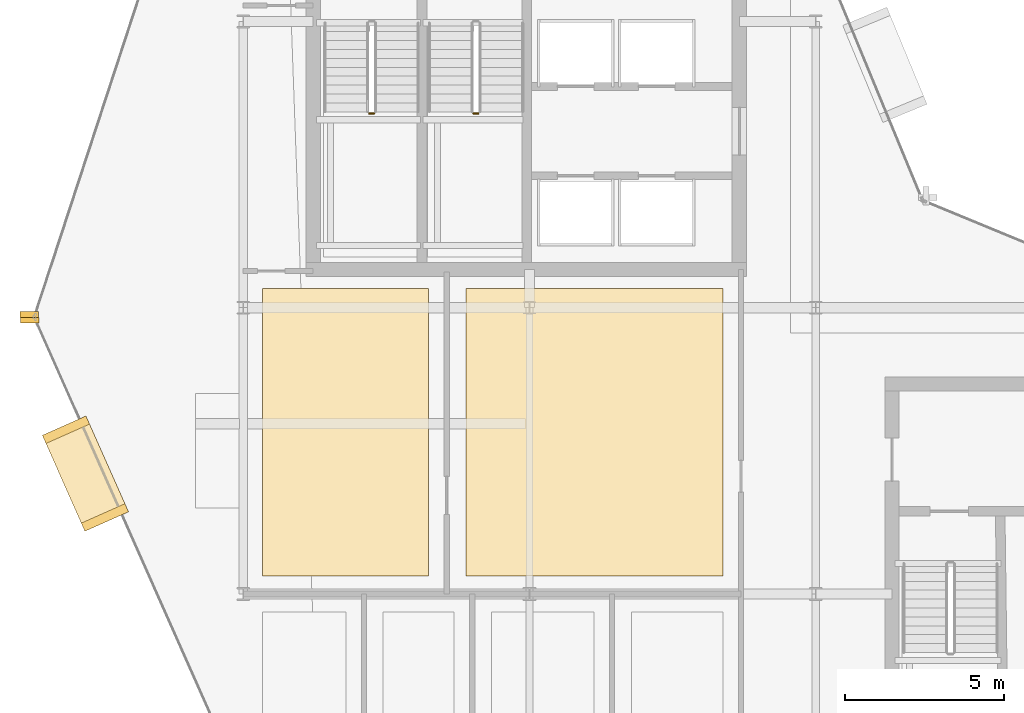
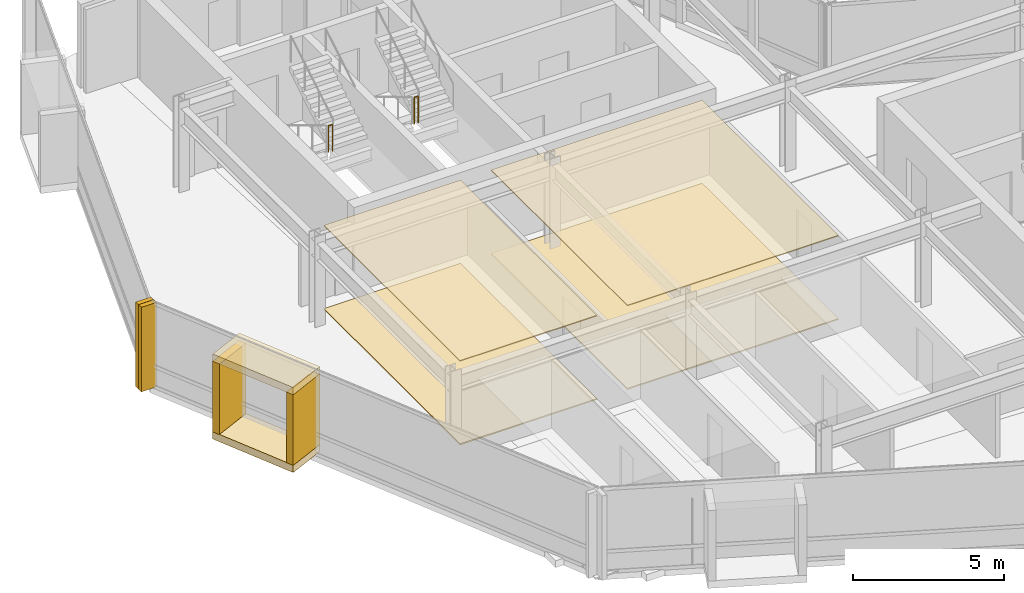
# One storey, part 23 of 27: 10 coverings, 2 railings.
"""IFC4 building model written with IfcOpenShell, lengths in metres."""

import ifcopenshell
import ifcopenshell.guid

model = None  # the IFC model being written
_history = None  # IfcOwnerHistory: only IFC2X3 demands one
_inside = {}  # id of a spatial element -> (the spatial element, [elements in it])
_under = {}  # id of a project, library or spatial element -> (it, [spatial elements below it])
_declared = {}  # id of a project -> (the project, [libraries it declares])
_typed = {}  # id of a type object -> (the type object, [elements of that type])
_made_of = {}  # id of a material, layer set ... -> (it, [elements and type objects made of it])


def new_model(schema):
    """Start an empty IFC model of exactly this schema.

    Asked for "IFC4X3", IfcOpenShell would pick the latest addendum, in which some entities
    have other attributes; the version numbers below select the first issue.
    IFC2X3 requires an IfcOwnerHistory on every rooted entity: one is made here for all.
    """
    global model, _history
    if schema == "IFC4X3":
        model = ifcopenshell.file(schema_version=(4, 3, 0, 0))
    else:
        model = ifcopenshell.file(schema=schema)
    _inside.clear()
    _under.clear()
    _declared.clear()
    _typed.clear()
    _made_of.clear()
    _history = None
    if model.schema == "IFC2X3":
        org = make("IfcOrganization", Name="unknown")
        user = make(
            "IfcPersonAndOrganization",
            ThePerson=make("IfcPerson", FamilyName="unknown"),
            TheOrganization=org,
        )
        app = make(
            "IfcApplication",
            ApplicationDeveloper=org,
            Version="unknown",
            ApplicationFullName="unknown",
            ApplicationIdentifier="unknown",
        )
        _history = make(
            "IfcOwnerHistory",
            OwningUser=user,
            OwningApplication=app,
            ChangeAction="ADDED",
            CreationDate=0,
        )
    return model


def make(cls, **values):
    """One entity of the class cls with the attributes given. An attribute that is None is left unset."""
    return model.create_entity(
        cls, **{name: value for name, value in values.items() if value is not None}
    )


def rooted(cls, **values):
    """An entity with a GlobalId (a new one), such as an element, a storey or a relation."""
    return make(cls, GlobalId=ifcopenshell.guid.new(), OwnerHistory=_history, **values)


def si_unit(unit_type, name, prefix=None):
    """IfcSIUnit, for example si_unit("LENGTHUNIT", "METRE", prefix="MILLI")."""
    return make("IfcSIUnit", UnitType=unit_type, Prefix=prefix, Name=name)


def assignment(units):
    """IfcUnitAssignment: the units of a project."""
    return None if units is None else make("IfcUnitAssignment", Units=units)


def point(xyz):
    """IfcCartesianPoint."""
    return None if xyz is None else make("IfcCartesianPoint", Coordinates=xyz)


def direction(xyz):
    """IfcDirection."""
    return None if xyz is None else make("IfcDirection", DirectionRatios=xyz)


def frame(location, z_axis=None, x_axis=None):
    """IfcAxis2Placement3D, a coordinate frame: its origin and axes. An axis left out is left unset."""
    return make(
        "IfcAxis2Placement3D",
        Location=point(location),
        Axis=direction(z_axis),
        RefDirection=direction(x_axis),
    )


def frame_2d(location, x_axis=None):
    """IfcAxis2Placement2D, a coordinate frame in the plane: its origin and x axis."""
    return make(
        "IfcAxis2Placement2D", Location=point(location), RefDirection=direction(x_axis)
    )


def origin():
    """The frame at (0, 0, 0) with its axes left unset."""
    return frame((0.0, 0.0, 0.0))


def origin_2d():
    """The frame at (0, 0) in the plane with its x axis left unset."""
    return frame_2d((0.0, 0.0))


def place(relative_to, where):
    """IfcLocalPlacement: puts the frame where relative to a parent placement (None: the world)."""
    return make(
        "IfcLocalPlacement", PlacementRelTo=relative_to, RelativePlacement=where
    )


def context(
    kind, dimensions, precision=None, world=None, true_north=None, identifier=None
):
    """IfcGeometricRepresentationContext, for example the 3D "Model" context."""
    return make(
        "IfcGeometricRepresentationContext",
        ContextIdentifier=identifier,
        ContextType=kind,
        CoordinateSpaceDimension=dimensions,
        Precision=precision,
        WorldCoordinateSystem=world,
        TrueNorth=true_north,
    )


def subcontext(parent, identifier, kind, view, scale=None):
    """IfcGeometricRepresentationSubContext, for example "Body" below "Model"."""
    return make(
        "IfcGeometricRepresentationSubContext",
        ContextIdentifier=identifier,
        ContextType=kind,
        ParentContext=parent,
        TargetScale=scale,
        TargetView=view,
    )


def project(units=None, contexts=None):
    """IfcProject with its units and contexts."""
    return rooted(
        "IfcProject",
        Name="project",
        RepresentationContexts=contexts,
        UnitsInContext=assignment(units),
    )


def spatial(cls, under=None, at=None, **own):
    """A site, building, storey or space (cls), placed at a placement, below another one or the project."""
    s = rooted(cls, ObjectPlacement=at, **own)
    if under is not None:
        _under.setdefault(under.id(), (under, []))[1].append(s)
    return s


def polyline(points):
    """IfcPolyline through the points."""
    return make("IfcPolyline", Points=[point(p) for p in points])


def profile(cls, at=None, kind="AREA", **sizes):
    """A parametric profile (cls). Its sizes go by their IFC names, for example OverallWidth=200.0."""
    return make(cls, ProfileType=kind, Position=at, **sizes)


def rectangle(**sizes):
    """IfcRectangleProfileDef."""
    return profile("IfcRectangleProfileDef", **sizes)


def circle(**sizes):
    """IfcCircleProfileDef."""
    return profile("IfcCircleProfileDef", **sizes)


def outline(outer, holes=None, kind="AREA"):
    """IfcArbitraryClosedProfileDef: a profile drawn as a closed curve; with holes, ...WithVoids."""
    if holes is None:
        return make("IfcArbitraryClosedProfileDef", ProfileType=kind, OuterCurve=outer)
    return make(
        "IfcArbitraryProfileDefWithVoids",
        ProfileType=kind,
        OuterCurve=outer,
        InnerCurves=holes,
    )


def extrude(swept, where, along, depth):
    """IfcExtrudedAreaSolid: the profile swept, set in the frame where, extruded along a direction by depth."""
    return make(
        "IfcExtrudedAreaSolid",
        SweptArea=swept,
        Position=where,
        ExtrudedDirection=direction(along),
        Depth=depth,
    )


def shape(context_of_items, identifier, shape_type, items):
    """IfcShapeRepresentation: the items that make up one representation, for example the "Body"."""
    return make(
        "IfcShapeRepresentation",
        ContextOfItems=context_of_items,
        RepresentationIdentifier=identifier,
        RepresentationType=shape_type,
        Items=items,
    )


def material(Name=None, Category=None):
    """IfcMaterial."""
    return make("IfcMaterial", Name=Name, Category=Category)


def layer(
    of_material, thickness, ventilated=None, Name=None, Category=None, Priority=None
):
    """IfcMaterialLayer: one layer of a wall or slab, of a material (None: an air gap)."""
    return make(
        "IfcMaterialLayer",
        Material=of_material,
        LayerThickness=thickness,
        IsVentilated=ventilated,
        Name=Name,
        Category=Category,
        Priority=Priority,
    )


def layer_set(layers, Name=None):
    """IfcMaterialLayerSet."""
    return make("IfcMaterialLayerSet", MaterialLayers=layers, LayerSetName=Name)


def made_of(thing, what):
    """Note that an element or type object is made of a material, layer set ...; save() writes the relation."""
    if what is not None:
        _made_of.setdefault(what.id(), (what, []))[1].append(thing)
    return thing


def type_object(cls, material=None, **own):
    """A type object (cls), such as IfcWallType, which elements share."""
    return made_of(rooted(cls, **own), material)


def element(
    cls,
    number,
    at=None,
    inside=None,
    cuts=None,
    type_object=None,
    material=None,
    context=None,
    identifier="Body",
    shape_type=None,
    held_by="IfcProductDefinitionShape",
    body=None,
    shapes=None,
    **own,
):
    """One element of the class cls, such as IfcWall. Its Tag is "e" and its number.

    at: its placement. inside: the storey or other place that contains it. cuts: it is an
    opening in that element (IfcRelVoidsElement). A single representation is given by context,
    identifier, shape_type and body (its items); several are given by shapes. held_by: the class
    of the entity that holds the representations. save() writes the other relations.
    """
    e = rooted(cls, Tag="e%d" % number, ObjectPlacement=at, **own)
    if body is not None:
        shapes = [shape(context, identifier, shape_type, body)]
    if shapes is not None:
        e.Representation = make(held_by, Representations=shapes)
    if inside is not None:
        _inside.setdefault(inside.id(), (inside, []))[1].append(e)
    if cuts is not None:
        rooted(
            "IfcRelVoidsElement", RelatingBuildingElement=cuts, RelatedOpeningElement=e
        )
    if type_object is not None:
        _typed.setdefault(type_object.id(), (type_object, []))[1].append(e)
    return made_of(e, material)


def aggregate(whole, parts):
    """IfcRelAggregates: a whole, such as a stair, and the parts it consists of."""
    return rooted("IfcRelAggregates", RelatingObject=whole, RelatedObjects=parts)


def save(model, path):
    """Write the relations noted so far, then the file.

    IfcRelAggregates (storeys below a building ...), IfcRelContainedInSpatialStructure (elements
    in a storey), IfcRelDefinesByType, IfcRelAssociatesMaterial and IfcRelDeclares: one each for
    every whole, place, type object, material and project.
    """
    for whole, parts in _under.values():
        aggregate(whole, parts)
    for where, things in _inside.values():
        rooted(
            "IfcRelContainedInSpatialStructure",
            RelatedElements=things,
            RelatingStructure=where,
        )
    for kind, things in _typed.values():
        rooted("IfcRelDefinesByType", RelatedObjects=things, RelatingType=kind)
    for what, things in _made_of.values():
        rooted("IfcRelAssociatesMaterial", RelatedObjects=things, RelatingMaterial=what)
    for by, libraries in _declared.values():
        rooted("IfcRelDeclares", RelatingContext=by, RelatedDefinitions=libraries)
    model.write(path)


model = new_model("IFC4")

# Units and contexts
model_context = context("Model", 3, precision=1e-05, world=origin(), true_north=direction((0.0, 1.0)))
body_context = subcontext(model_context, "Body", "Model", "MODEL_VIEW")
ifc_project = project(units=[si_unit("LENGTHUNIT", "METRE"), si_unit("AREAUNIT", "SQUARE_METRE"), si_unit("VOLUMEUNIT", "CUBIC_METRE"), si_unit("PLANEANGLEUNIT", "RADIAN"), si_unit("MASSUNIT", "GRAM", prefix="KILO")], contexts=[model_context])

# Site, building, storey
site_placement = place(None, origin())
site = spatial("IfcSite", under=ifc_project, at=site_placement, CompositionType="ELEMENT")
building_placement = place(site_placement, origin())
building = spatial("IfcBuilding", under=site, at=building_placement, Name="Solvaryn Broadcast Tower", CompositionType="ELEMENT")
storey_placement = place(building_placement, frame((0.0, 0.0, 224.699951171875)))
storey = spatial("IfcBuildingStorey", under=building, at=storey_placement, Name="L56", CompositionType="ELEMENT", Elevation=224.699951171875)

# Coverings
ifc_material_1 = material(Name="Micro-Perforated Acoustic Gypsum Ceiling", Category="concrete")
ifc_layer_1 = layer(ifc_material_1, 0.0400390625)
ifc_layer_set_1 = layer_set([ifc_layer_1], Name="CV-CEIL-ACOUSTIC")
covering_type_1 = type_object("IfcCoveringType", Name="CV-CEIL-ACOUSTIC", PredefinedType="CEILING", material=ifc_layer_set_1)
covering_1_placement = place(storey_placement, frame((0.0, 0.0, 3.380126953125)))
element("IfcCovering", 1, at=covering_1_placement, inside=storey, type_object=covering_type_1, Name="L56 Room Acoustic Ceiling 1", PredefinedType="CEILING", context=body_context, shape_type="SweptSolid", body=[
    extrude(outline(polyline([(9.60009765625, 18.570068359375), (14.830078125, 18.570068359375), (14.830078125, 27.60009765625), (9.60009765625, 27.60009765625), (9.60009765625, 18.570068359375)])), origin(), (0.0, 0.0, 1.0), 0.0400390625),
])
covering_2_placement = place(storey_placement, frame((0.0, 0.0, 3.380126953125)))
element("IfcCovering", 2, at=covering_2_placement, inside=storey, type_object=covering_type_1, Name="L56 Room Acoustic Ceiling 2", PredefinedType="CEILING", context=body_context, shape_type="SweptSolid", body=[
    extrude(outline(polyline([(16.0, 18.570068359375), (24.080078125, 18.570068359375), (24.080078125, 27.60009765625), (16.0, 27.60009765625), (16.0, 18.570068359375)])), origin(), (0.0, 0.0, 1.0), 0.0400390625),
])
ifc_material_2 = material(Name="Newsroom Raised Data Access Flooring", Category="steel")
ifc_layer_2 = layer(ifc_material_2, 0.050048828125)
ifc_layer_set_2 = layer_set([ifc_layer_2], Name="CV-FLOOR-RAISED")
covering_type_2 = type_object("IfcCoveringType", Name="CV-FLOOR-RAISED", PredefinedType="FLOORING", material=ifc_layer_set_2)
covering_3_placement = place(storey_placement, origin())
element("IfcCovering", 3, at=covering_3_placement, inside=storey, type_object=covering_type_2, Name="L56 Room Acoustic Floor Finish 1", PredefinedType="FLOORING", context=body_context, shape_type="SweptSolid", body=[
    extrude(outline(polyline([(9.60009765625, 18.570068359375), (14.830078125, 18.570068359375), (14.830078125, 27.60009765625), (9.60009765625, 27.60009765625), (9.60009765625, 18.570068359375)])), origin(), (0.0, 0.0, 1.0), 0.050048828125),
])
covering_4_placement = place(storey_placement, origin())
element("IfcCovering", 4, at=covering_4_placement, inside=storey, type_object=covering_type_2, Name="L56 Room Acoustic Floor Finish 2", PredefinedType="FLOORING", context=body_context, shape_type="SweptSolid", body=[
    extrude(outline(polyline([(16.0, 18.570068359375), (24.080078125, 18.570068359375), (24.080078125, 27.60009765625), (16.0, 27.60009765625), (16.0, 18.570068359375)])), origin(), (0.0, 0.0, 1.0), 0.050048828125),
])
ifc_material_3 = material(Name="Glazed Architectural Terracotta Rainscreen Cladding", Category="masonry")
ifc_layer_3 = layer(ifc_material_3, 0.280029296875)
ifc_layer_set_3 = layer_set([ifc_layer_3], Name="CV-TC-CLAD")
covering_type_3 = type_object("IfcCoveringType", Name="CV-TC-CLAD", PredefinedType="CLADDING", material=ifc_layer_set_3)
for number, where, z_axis, x_axis, name in (
    (5, (4.0390625, 21.784912109375, 3.1298828125), (0.0, 0.0, 1.0), (0.405939269498, -0.913900054426, 0.0), "L56 Projecting Stone Window Box Hood 2"),
    (6, (4.0390625, 21.784912109375, -0.009765625), (0.0, 0.0, 1.0), (0.405939269498, -0.913900054426, 0.0), "L56 Projecting Stone Window Box Sill 2"),
):
    element("IfcCovering", number, at=place(storey_placement, frame(where, z_axis=z_axis, x_axis=x_axis)), inside=storey, type_object=covering_type_3, Name=name, PredefinedType="CLADDING", context=body_context, shape_type="SweptSolid", body=[
        extrude(rectangle(XDim=3.300048828125, YDim=1.5, at=origin_2d()), origin(), (0.0, 0.0, 1.0), 0.300048828125),
    ])
for number, where, z_axis, x_axis, name in (
    (7, (3.426025390625, 23.1650390625, 0.27978515625), (0.0, 0.0, 1.0), (0.405939269498, -0.913900054426, 0.0), "L56 Projecting Stone Window Box Cheek 2-1"),
    (8, (4.652099609375, 20.405029296875, 0.27978515625), (0.0, 0.0, 1.0), (0.405939269498, -0.913900054426, 0.0), "L56 Projecting Stone Window Box Cheek 2-2"),
):
    element("IfcCovering", number, at=place(storey_placement, frame(where, z_axis=z_axis, x_axis=x_axis)), inside=storey, type_object=covering_type_3, Name=name, PredefinedType="CLADDING", context=body_context, shape_type="SweptSolid", body=[
        extrude(rectangle(XDim=0.280029296875, YDim=1.5, at=origin_2d()), origin(), (0.0, 0.0, 1.0), 2.860107421875),
    ])
ifc_material_4 = material(Name="Extruded Architectural Terracotta Fin", Category="masonry")
ifc_layer_4 = layer(ifc_material_4, 0.179931640625)
ifc_layer_set_4 = layer_set([ifc_layer_4], Name="CV-TC-FIN")
covering_type_4 = type_object("IfcCoveringType", Name="CV-TC-FIN", PredefinedType="USERDEFINED", material=ifc_layer_set_4)
for number, where, z_axis, x_axis, name in (
    (9, (2.271240234375, 26.790771484375, 0.0), (0.0, 0.0, 1.0), (1.0, 0.0, 0.0), "L56 Terracotta Vertical Fin FIN-L56-DR1-M01"),
    (10, (2.281005859375, 26.605712890625, 0.0), (0.0, 0.0, 1.0), (1.0, 0.0, 0.0), "L56 Terracotta Vertical Fin FIN-L56-DR2-M00"),
):
    element("IfcCovering", number, at=place(storey_placement, frame(where, z_axis=z_axis, x_axis=x_axis)), inside=storey, type_object=covering_type_4, Name=name, ObjectType="FIN", PredefinedType="USERDEFINED", context=body_context, shape_type="SweptSolid", body=[
        extrude(rectangle(XDim=0.580078125, YDim=0.179931640625, at=origin_2d()), origin(), (0.0, 0.0, 1.0), 3.419921875),
    ])

# Railings
ifc_material_5 = material(Name="Painted Steel Stair Well Guard", Category="steel")
railing_type = type_object("IfcRailingType", Name="RL-STAIR-GUARD", PredefinedType="BALUSTRADE", material=ifc_material_5)
railing_1_placement = place(storey_placement, frame((12.9599609375, 33.110107421875, 1.85009765625)))
element("IfcRailing", 11, at=railing_1_placement, inside=storey, type_object=railing_type, Name="L56 ST1 stair guard 2", PredefinedType="BALUSTRADE", context=body_context, shape_type="SweptSolid", body=[
    extrude(circle(Radius=0.02392578125, at=origin_2d()), frame((0.0, 0.0, 1.076171875), z_axis=(1.0, 0.0, 0.0), x_axis=(0.0, 1.0, 0.0)), (0.0, 0.0, 1.0), 0.150146484375),
    extrude(circle(Radius=0.02099609375, at=origin_2d()), origin(), (0.0, 0.0, 1.0), 1.052001953125),
    extrude(circle(Radius=0.02099609375, at=origin_2d()), frame((0.150146484375, 0.0, 0.0)), (0.0, 0.0, 1.0), 1.052001953125),
])
railing_2_placement = place(storey_placement, frame((16.239990234375, 33.110107421875, 1.85009765625)))
element("IfcRailing", 12, at=railing_2_placement, inside=storey, type_object=railing_type, Name="L56 ST2 stair guard 2", PredefinedType="BALUSTRADE", context=body_context, shape_type="SweptSolid", body=[
    extrude(circle(Radius=0.02392578125, at=origin_2d()), frame((0.0, 0.0, 1.076171875), z_axis=(1.0, 0.0, 0.0), x_axis=(0.0, 1.0, 0.0)), (0.0, 0.0, 1.0), 0.14990234375),
    extrude(circle(Radius=0.02099609375, at=origin_2d()), origin(), (0.0, 0.0, 1.0), 1.052001953125),
    extrude(circle(Radius=0.02099609375, at=origin_2d()), frame((0.14990234375, 0.0, 0.0)), (0.0, 0.0, 1.0), 1.052001953125),
])

save(model, "model.ifc")
